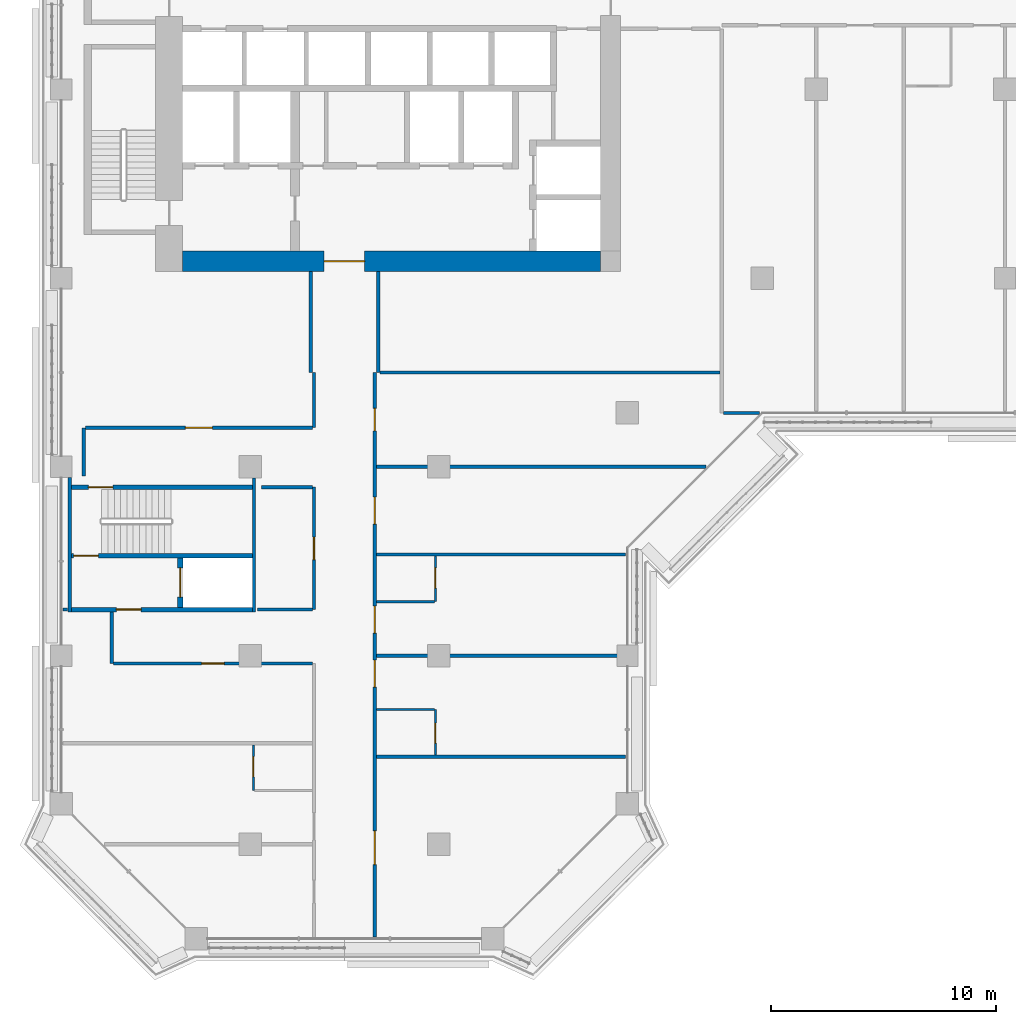
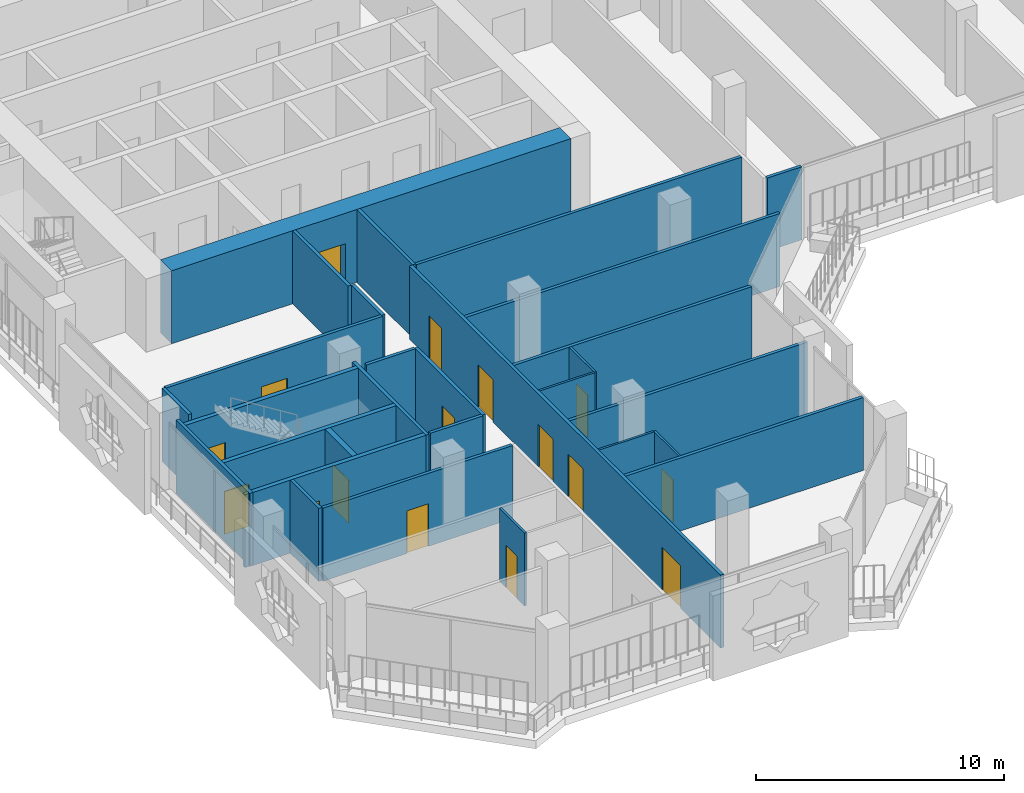
# One storey, part 10 of 21: 30 walls, 16 doors, 16 openings.
"""IFC4 building model written with IfcOpenShell, lengths in metres."""

from ifc_helpers import new_model, si_unit, direction, frame, frame_2d, origin, place, context, subcontext, project, spatial, rectangle, extrude, material, layer, layer_set, type_object, element, fill, save


model = new_model("IFC4")

# Units and contexts
model_context = context("Model", 3, precision=1e-05, world=origin(), true_north=direction((0.0, 1.0)))
body_context = subcontext(model_context, "Body", "Model", "MODEL_VIEW")
ifc_project = project(units=[si_unit("LENGTHUNIT", "METRE"), si_unit("AREAUNIT", "SQUARE_METRE"), si_unit("VOLUMEUNIT", "CUBIC_METRE"), si_unit("PLANEANGLEUNIT", "RADIAN"), si_unit("MASSUNIT", "GRAM", prefix="KILO")], contexts=[model_context])

# Site, building, storey
site_placement = place(None, origin())
site = spatial("IfcSite", under=ifc_project, at=site_placement, CompositionType="ELEMENT")
building_placement = place(site_placement, origin())
building = spatial("IfcBuilding", under=site, at=building_placement, Name="Kawkab Arch Medical Tower", CompositionType="ELEMENT")
storey_placement = place(building_placement, frame((0.0, 0.0, 192.0)))
storey = spatial("IfcBuildingStorey", under=building, at=storey_placement, Name="L44", CompositionType="ELEMENT", Elevation=192.0)

# Wall, opening, door
ifc_material_1 = material(Name="Concrete C55/67", Category="concrete")
ifc_layer_1 = layer(ifc_material_1, 0.89990234375)
ifc_layer_set_1 = layer_set([ifc_layer_1], Name="Concrete C55/67")
wall_type_1 = type_object("IfcWallType", Name="Core ring wall 900 C55/67", PredefinedType="SHEAR", material=ifc_layer_set_1)
wall_1_placement = place(storey_placement, frame((5.39990234375, -24.449951171875, 0.0), z_axis=(0.0, 0.0, 1.0), x_axis=(1.0, 0.0, 0.0)))
wall_1 = element("IfcWall", 1, at=wall_1_placement, inside=storey, type_object=wall_type_1, Name="L44 core wall", PredefinedType="SHEAR", context=body_context, shape_type="SweptSolid", body=[
    extrude(rectangle(XDim=18.60009765625, YDim=0.89990234375, at=frame_2d((9.300048828125, 0.0))), origin(), (0.0, 0.0, 1.0), 3.60009765625),
])
opening_1_placement = place(wall_1_placement, frame((6.300048828125, 0.0, 0.0)))
opening_1 = element("IfcOpeningElement", 2, at=opening_1_placement, cuts=wall_1, Name="Opening PD", PredefinedType="OPENING", context=body_context, shape_type="SweptSolid", body=[
    extrude(rectangle(XDim=1.800048828125, YDim=2.10009765625, at=frame_2d((0.89990234375, 1.050048828125))), frame((0.0, 0.4599609375, 0.0), z_axis=(0.0, -1.0, 0.0), x_axis=(1.0, 0.0, 0.0)), (0.0, 0.0, 1.0), 0.919921875),
])
ifc_material_2 = material(Name="Hollow metal fire door leaf")
door_type_1 = type_object("IfcDoorType", Name="Core entrance doors 1800", OperationType="DOUBLE_DOOR_SINGLE_SWING", PredefinedType="DOOR", material=ifc_material_2)
door_1_placement = place(opening_1_placement, origin())
door_1 = element("IfcDoor", 3, at=door_1_placement, inside=storey, type_object=door_type_1, Name="L44 South entrance doors", OperationType="DOUBLE_DOOR_SINGLE_SWING", OverallHeight=2.10009765625, OverallWidth=1.800048828125, PredefinedType="DOOR", context=body_context, shape_type="SweptSolid", body=[
    extrude(rectangle(XDim=1.800048828125, YDim=2.10009765625, at=frame_2d((0.89990234375, 1.050048828125))), frame((0.0, 0.02490234375, 0.0), z_axis=(0.0, -1.0, 0.0), x_axis=(1.0, 0.0, 0.0)), (0.0, 0.0, 1.0), 0.050048828125),
])
fill(opening_1, door_1)

ifc_material_3 = material(Name="Concrete C60/75", Category="concrete")
ifc_layer_2 = layer(ifc_material_3, 0.25)
ifc_layer_set_2 = layer_set([ifc_layer_2], Name="Concrete C60/75")
wall_type_2 = type_object("IfcWallType", Name="Core shear wall 250 C60/75", PredefinedType="SHEAR", material=ifc_layer_set_2)
wall_2_placement = place(storey_placement, frame((5.300048828125, -39.85009765625, 0.0), z_axis=(0.0, 0.0, 1.0), x_axis=(0.0, 1.0, 0.0)))
wall_2 = element("IfcWall", 4, at=wall_2_placement, inside=storey, type_object=wall_type_2, Name="L44 core shear wall", PredefinedType="SHEAR", context=body_context, shape_type="SweptSolid", body=[
    extrude(rectangle(XDim=2.2001953125, YDim=0.25, at=frame_2d((1.10009765625, 0.0))), origin(), (0.0, 0.0, 1.0), 3.60009765625),
])
opening_2_placement = place(wall_2_placement, frame((0.449951171875, 0.0, 0.0)))
opening_2 = element("IfcOpeningElement", 5, at=opening_2_placement, cuts=wall_2, Name="Opening LD2", PredefinedType="OPENING", context=body_context, shape_type="SweptSolid", body=[
    extrude(rectangle(XDim=1.300048828125, YDim=2.10009765625, at=frame_2d((0.64990234375, 1.050048828125))), frame((0.0, 0.135009765625, 0.0), z_axis=(0.0, -1.0, 0.0), x_axis=(1.0, 0.0, 0.0)), (0.0, 0.0, 1.0), 0.27001953125),
])
ifc_material_4 = material(Name="Stainless steel lift door leaf", Category="steel")
door_type_2 = type_object("IfcDoorType", Name="Lift landing door 1300", OperationType="DOUBLE_DOOR_SLIDING", PredefinedType="DOOR", material=ifc_material_4)
door_2_placement = place(opening_2_placement, origin())
door_2 = element("IfcDoor", 6, at=door_2_placement, inside=storey, type_object=door_type_2, Name="L44 Lift landing door SV2", OperationType="DOUBLE_DOOR_SLIDING", OverallHeight=2.10009765625, OverallWidth=1.300048828125, PredefinedType="DOOR", context=body_context, shape_type="SweptSolid", body=[
    extrude(rectangle(XDim=1.300048828125, YDim=2.10009765625, at=frame_2d((0.64990234375, 1.050048828125))), frame((0.0, 0.02490234375, 0.0), z_axis=(0.0, -1.0, 0.0), x_axis=(1.0, 0.0, 0.0)), (0.0, 0.0, 1.0), 0.050048828125),
])
fill(opening_2, door_2)

# Walls
ifc_material_5 = material(Name="Gypsum board partition on steel studs", Category="steel")
ifc_layer_3 = layer(ifc_material_5, 0.10009765625)
ifc_layer_set_3 = layer_set([ifc_layer_3], Name="Gypsum board partition on steel studs")
wall_type_3 = type_object("IfcWallType", Name="Partition 100", PredefinedType="PARTITIONING", material=ifc_layer_set_3)
for number, where, z_axis, x_axis, name in (
    (7, (14.02490234375, -44.39990234375, 0.0), (0.0, 0.0, 1.0), (1.0, 0.0, 0.0), "Partition 100 w002"),
    (8, (14.02490234375, -39.60009765625, 0.0), (0.0, 0.0, 1.0), (1.0, 0.0, 0.0), "Partition 100 w003"),
):
    element("IfcWall", number, at=place(storey_placement, frame(where, z_axis=z_axis, x_axis=x_axis)), inside=storey, type_object=wall_type_3, Name=name, PredefinedType="PARTITIONING", context=body_context, shape_type="SweptSolid", body=[
        extrude(rectangle(XDim=2.5751953125, YDim=0.10009765625, at=frame_2d((1.28759765625, 0.0))), origin(), (0.0, 0.0, 1.0), 3.60009765625),
    ])

# Wall, opening, door
wall_3_placement = place(storey_placement, frame((8.550048828125, -48.0, 0.0), z_axis=(0.0, 0.0, 1.0), x_axis=(0.0, 1.0, 0.0)))
wall_3 = element("IfcWall", 9, at=wall_3_placement, inside=storey, type_object=wall_type_3, Name="Partition 100 w009", PredefinedType="PARTITIONING", context=body_context, shape_type="SweptSolid", body=[
    extrude(rectangle(XDim=2.02490234375, YDim=0.10009765625, at=frame_2d((1.012451171875, 0.0))), origin(), (0.0, 0.0, 1.0), 3.60009765625),
])
opening_3_placement = place(wall_3_placement, frame((0.60009765625, 0.0, 0.0)))
opening_3 = element("IfcOpeningElement", 10, at=opening_3_placement, cuts=wall_3, Name="Opening W39-009", PredefinedType="OPENING", context=body_context, shape_type="SweptSolid", body=[
    extrude(rectangle(XDim=0.89990234375, YDim=2.10009765625, at=frame_2d((0.449951171875, 1.050048828125))), frame((0.0, 0.06005859375, 0.0), z_axis=(0.0, -1.0, 0.0), x_axis=(1.0, 0.0, 0.0)), (0.0, 0.0, 1.0), 0.1201171875),
])
ifc_material_6 = material(Name="Timber door leaf", Category="wood")
door_type_3 = type_object("IfcDoorType", Name="Single door 900x2100", OperationType="NOTDEFINED", PredefinedType="DOOR", material=ifc_material_6)
door_3_placement = place(opening_3_placement, origin())
door_3 = element("IfcDoor", 11, at=door_3_placement, inside=storey, type_object=door_type_3, Name="Door W39-009", OperationType="SINGLE_SWING_LEFT", OverallHeight=2.10009765625, OverallWidth=0.89990234375, PredefinedType="DOOR", context=body_context, shape_type="SweptSolid", body=[
    extrude(rectangle(XDim=0.89990234375, YDim=2.10009765625, at=frame_2d((0.449951171875, 1.050048828125))), frame((0.0, 0.02490234375, 0.0), z_axis=(0.0, -1.0, 0.0), x_axis=(1.0, 0.0, 0.0)), (0.0, 0.0, 1.0), 0.050048828125),
])
fill(opening_3, door_3)

wall_4_placement = place(storey_placement, frame((16.64990234375, -46.425048828125, 0.0), z_axis=(0.0, 0.0, 1.0), x_axis=(0.0, 1.0, 0.0)))
wall_4 = element("IfcWall", 12, at=wall_4_placement, inside=storey, type_object=wall_type_3, Name="Partition 100 w010", PredefinedType="PARTITIONING", context=body_context, shape_type="SweptSolid", body=[
    extrude(rectangle(XDim=2.025146484375, YDim=0.10009765625, at=frame_2d((1.0126953125, 0.0))), origin(), (0.0, 0.0, 1.0), 3.60009765625),
])
opening_4_placement = place(wall_4_placement, frame((0.52490234375, 0.0, 0.0)))
opening_4 = element("IfcOpeningElement", 13, at=opening_4_placement, cuts=wall_4, Name="Opening W39-011", PredefinedType="OPENING", context=body_context, shape_type="SweptSolid", body=[
    extrude(rectangle(XDim=0.89990234375, YDim=2.10009765625, at=frame_2d((0.449951171875, 1.050048828125))), frame((0.0, 0.06005859375, 0.0), z_axis=(0.0, -1.0, 0.0), x_axis=(1.0, 0.0, 0.0)), (0.0, 0.0, 1.0), 0.1201171875),
])
door_4_placement = place(opening_4_placement, origin())
door_4 = element("IfcDoor", 14, at=door_4_placement, inside=storey, type_object=door_type_3, Name="Door W39-011", OperationType="SINGLE_SWING_LEFT", OverallHeight=2.10009765625, OverallWidth=0.89990234375, PredefinedType="DOOR", context=body_context, shape_type="SweptSolid", body=[
    extrude(rectangle(XDim=0.89990234375, YDim=2.10009765625, at=frame_2d((0.449951171875, 1.050048828125))), frame((0.0, 0.02490234375, 0.0), z_axis=(0.0, -1.0, 0.0), x_axis=(1.0, 0.0, 0.0)), (0.0, 0.0, 1.0), 0.050048828125),
])
fill(opening_4, door_4)

wall_5_placement = place(storey_placement, frame((16.64990234375, -39.60009765625, 0.0), z_axis=(0.0, 0.0, 1.0), x_axis=(0.0, 1.0, 0.0)))
wall_5 = element("IfcWall", 15, at=wall_5_placement, inside=storey, type_object=wall_type_3, Name="Partition 100 w011", PredefinedType="PARTITIONING", context=body_context, shape_type="SweptSolid", body=[
    extrude(rectangle(XDim=2.025146484375, YDim=0.10009765625, at=frame_2d((1.0126953125, 0.0))), origin(), (0.0, 0.0, 1.0), 3.60009765625),
])
opening_5_placement = place(wall_5_placement, frame((0.60009765625, 0.0, 0.0)))
opening_5 = element("IfcOpeningElement", 16, at=opening_5_placement, cuts=wall_5, Name="Opening W39-010", PredefinedType="OPENING", context=body_context, shape_type="SweptSolid", body=[
    extrude(rectangle(XDim=0.89990234375, YDim=2.10009765625, at=frame_2d((0.449951171875, 1.050048828125))), frame((0.0, 0.06005859375, 0.0), z_axis=(0.0, -1.0, 0.0), x_axis=(1.0, 0.0, 0.0)), (0.0, 0.0, 1.0), 0.1201171875),
])
door_5_placement = place(opening_5_placement, origin())
door_5 = element("IfcDoor", 17, at=door_5_placement, inside=storey, type_object=door_type_3, Name="Door W39-010", OperationType="SINGLE_SWING_LEFT", OverallHeight=2.10009765625, OverallWidth=0.89990234375, PredefinedType="DOOR", context=body_context, shape_type="SweptSolid", body=[
    extrude(rectangle(XDim=0.89990234375, YDim=2.10009765625, at=frame_2d((0.449951171875, 1.050048828125))), frame((0.0, 0.02490234375, 0.0), z_axis=(0.0, -1.0, 0.0), x_axis=(1.0, 0.0, 0.0)), (0.0, 0.0, 1.0), 0.050048828125),
])
fill(opening_5, door_5)

# Wall
ifc_material_7 = material(Name="Gypsum board partition on steel studs, mineral wool", Category="steel")
ifc_layer_4 = layer(ifc_material_7, 0.14990234375)
ifc_layer_set_4 = layer_set([ifc_layer_4], Name="Gypsum board partition on steel studs, mineral wool")
wall_type_4 = type_object("IfcWallType", Name="Partition 150", PredefinedType="PARTITIONING", material=ifc_layer_set_4)
wall_6_placement = place(storey_placement, frame((14.02490234375, -46.5, 0.0), z_axis=(0.0, 0.0, 1.0), x_axis=(1.0, 0.0, 0.0)))
element("IfcWall", 18, at=wall_6_placement, inside=storey, type_object=wall_type_4, Name="Partition 150 w019", PredefinedType="PARTITIONING", context=body_context, shape_type="SweptSolid", body=[
    extrude(rectangle(XDim=11.09521484375, YDim=0.14990234375, at=frame_2d((5.547607421875, 0.0))), origin(), (0.0, 0.0, 1.0), 3.60009765625),
])

# Wall, opening, door
wall_7_placement = place(storey_placement, frame((2.326904296875, -42.35009765625, 0.0), z_axis=(0.0, 0.0, 1.0), x_axis=(1.0, 0.0, 0.0)))
wall_7 = element("IfcWall", 19, at=wall_7_placement, inside=storey, type_object=wall_type_4, Name="Partition 150 w021", PredefinedType="PARTITIONING", context=body_context, shape_type="SweptSolid", body=[
    extrude(rectangle(XDim=8.84814453125, YDim=0.14990234375, at=frame_2d((4.424072265625, 0.0))), origin(), (0.0, 0.0, 1.0), 3.60009765625),
])
opening_6_placement = place(wall_7_placement, frame((3.924072265625, 0.0, 0.0)))
opening_6 = element("IfcOpeningElement", 20, at=opening_6_placement, cuts=wall_7, Name="Opening W39-023", PredefinedType="OPENING", context=body_context, shape_type="SweptSolid", body=[
    extrude(rectangle(XDim=1.0, YDim=2.10009765625, at=frame_2d((0.5, 1.050048828125))), frame((0.0, 0.0849609375, 0.0), z_axis=(0.0, -1.0, 0.0), x_axis=(1.0, 0.0, 0.0)), (0.0, 0.0, 1.0), 0.169921875),
])
ifc_material_8 = material(Name="Hollow metal door leaf")
door_type_4 = type_object("IfcDoorType", Name="Single door 1000x2100 FD30S", OperationType="NOTDEFINED", PredefinedType="DOOR", material=ifc_material_8)
door_6_placement = place(opening_6_placement, origin())
door_6 = element("IfcDoor", 21, at=door_6_placement, inside=storey, type_object=door_type_4, Name="Door W39-023", OperationType="SINGLE_SWING_RIGHT", OverallHeight=2.10009765625, OverallWidth=1.0, PredefinedType="DOOR", context=body_context, shape_type="SweptSolid", body=[
    extrude(rectangle(XDim=1.0, YDim=2.10009765625, at=frame_2d((0.5, 1.050048828125))), frame((0.0, 0.02490234375, 0.0), z_axis=(0.0, -1.0, 0.0), x_axis=(1.0, 0.0, 0.0)), (0.0, 0.0, 1.0), 0.050048828125),
])
fill(opening_6, door_6)

# Walls
wall_8_placement = place(storey_placement, frame((14.02490234375, -42.0, 0.0), z_axis=(0.0, 0.0, 1.0), x_axis=(1.0, 0.0, 0.0)))
element("IfcWall", 22, at=wall_8_placement, inside=storey, type_object=wall_type_4, Name="Partition 150 w022", PredefinedType="PARTITIONING", context=body_context, shape_type="SweptSolid", body=[
    extrude(rectangle(XDim=11.09521484375, YDim=0.14990234375, at=frame_2d((5.547607421875, 0.0))), origin(), (0.0, 0.0, 1.0), 3.60009765625),
])
wall_9_placement = place(storey_placement, frame((0.080078125, -39.949951171875, 0.0), z_axis=(0.0, 0.0, 1.0), x_axis=(1.0, 0.0, 0.0)))
element("IfcWall", 23, at=wall_9_placement, inside=storey, type_object=wall_type_4, Name="Partition 150 w023", PredefinedType="PARTITIONING", context=body_context, shape_type="SweptSolid", body=[
    extrude(rectangle(XDim=0.18994140625, YDim=0.14990234375, at=frame_2d((0.094970703125, 0.0))), origin(), (0.0, 0.0, 1.0), 3.60009765625),
])
wall_10_placement = place(storey_placement, frame((8.72998046875, -39.949951171875, 0.0), z_axis=(0.0, 0.0, 1.0), x_axis=(1.0, 0.0, 0.0)))
element("IfcWall", 24, at=wall_10_placement, inside=storey, type_object=wall_type_4, Name="Partition 150 w024", PredefinedType="PARTITIONING", context=body_context, shape_type="SweptSolid", body=[
    extrude(rectangle(XDim=2.445068359375, YDim=0.14990234375, at=frame_2d((1.22265625, 0.0))), origin(), (0.0, 0.0, 1.0), 3.60009765625),
])
wall_11_placement = place(storey_placement, frame((14.02490234375, -37.5, 0.0), z_axis=(0.0, 0.0, 1.0), x_axis=(1.0, 0.0, 0.0)))
element("IfcWall", 25, at=wall_11_placement, inside=storey, type_object=wall_type_4, Name="Partition 150 w025", PredefinedType="PARTITIONING", context=body_context, shape_type="SweptSolid", body=[
    extrude(rectangle(XDim=11.09521484375, YDim=0.14990234375, at=frame_2d((5.547607421875, 0.0))), origin(), (0.0, 0.0, 1.0), 3.60009765625),
])
wall_12_placement = place(storey_placement, frame((8.89990234375, -34.5, 0.0), z_axis=(0.0, 0.0, 1.0), x_axis=(1.0, 0.0, 0.0)))
element("IfcWall", 26, at=wall_12_placement, inside=storey, type_object=wall_type_4, Name="Partition 150 w026", PredefinedType="PARTITIONING", context=body_context, shape_type="SweptSolid", body=[
    extrude(rectangle(XDim=2.275146484375, YDim=0.14990234375, at=frame_2d((1.1376953125, 0.0))), origin(), (0.0, 0.0, 1.0), 3.60009765625),
])
wall_13_placement = place(storey_placement, frame((14.02490234375, -33.60009765625, 0.0), z_axis=(0.0, 0.0, 1.0), x_axis=(1.0, 0.0, 0.0)))
element("IfcWall", 27, at=wall_13_placement, inside=storey, type_object=wall_type_4, Name="Partition 150 w027", PredefinedType="PARTITIONING", context=body_context, shape_type="SweptSolid", body=[
    extrude(rectangle(XDim=14.662109375, YDim=0.14990234375, at=frame_2d((7.3310546875, 0.0))), origin(), (0.0, 0.0, 1.0), 3.60009765625),
])

# Wall, opening, door
wall_14_placement = place(storey_placement, frame((1.076904296875, -31.85693359375, 0.0), z_axis=(0.0, 0.0, 1.0), x_axis=(1.0, 0.0, 0.0)))
wall_14 = element("IfcWall", 28, at=wall_14_placement, inside=storey, type_object=wall_type_4, Name="Partition 150 w028", PredefinedType="PARTITIONING", context=body_context, shape_type="SweptSolid", body=[
    extrude(rectangle(XDim=10.09814453125, YDim=0.14990234375, at=frame_2d((5.049072265625, 0.0))), origin(), (0.0, 0.0, 1.0), 3.60009765625),
])
opening_7_placement = place(wall_14_placement, frame((4.448974609375, 0.0, 0.0)))
opening_7 = element("IfcOpeningElement", 29, at=opening_7_placement, cuts=wall_14, Name="Opening W39-034", PredefinedType="OPENING", context=body_context, shape_type="SweptSolid", body=[
    extrude(rectangle(XDim=1.199951171875, YDim=2.10009765625, at=frame_2d((0.60009765625, 1.050048828125))), frame((0.0, 0.0849609375, 0.0), z_axis=(0.0, -1.0, 0.0), x_axis=(1.0, 0.0, 0.0)), (0.0, 0.0, 1.0), 0.169921875),
])
ifc_material_9 = material(Name="Hollow metal door leaf")
door_type_5 = type_object("IfcDoorType", Name="Single door 1200x2100 FD30S", OperationType="NOTDEFINED", PredefinedType="DOOR", material=ifc_material_9)
door_7_placement = place(opening_7_placement, origin())
door_7 = element("IfcDoor", 30, at=door_7_placement, inside=storey, type_object=door_type_5, Name="Door W39-034", OperationType="SINGLE_SWING_LEFT", OverallHeight=2.10009765625, OverallWidth=1.199951171875, PredefinedType="DOOR", context=body_context, shape_type="SweptSolid", body=[
    extrude(rectangle(XDim=1.199951171875, YDim=2.10009765625, at=frame_2d((0.60009765625, 1.050048828125))), frame((0.0, 0.02490234375, 0.0), z_axis=(0.0, -1.0, 0.0), x_axis=(1.0, 0.0, 0.0)), (0.0, 0.0, 1.0), 0.050048828125),
])
fill(opening_7, door_7)

# Walls
wall_15_placement = place(storey_placement, frame((29.47705078125, -31.199951171875, 0.0), z_axis=(0.0, 0.0, 1.0), x_axis=(1.0, 0.0, 0.0)))
element("IfcWall", 31, at=wall_15_placement, inside=storey, type_object=wall_type_4, Name="Partition 150 w029", PredefinedType="PARTITIONING", context=body_context, shape_type="SweptSolid", body=[
    extrude(rectangle(XDim=1.60986328125, YDim=0.14990234375, at=frame_2d((0.804931640625, 0.0))), origin(), (0.0, 0.0, 1.0), 3.60009765625),
])
wall_16_placement = place(storey_placement, frame((14.175048828125, -29.39990234375, 0.0), z_axis=(0.0, 0.0, 1.0), x_axis=(1.0, 0.0, 0.0)))
element("IfcWall", 32, at=wall_16_placement, inside=storey, type_object=wall_type_4, Name="Partition 150 w030", PredefinedType="PARTITIONING", context=body_context, shape_type="SweptSolid", body=[
    extrude(rectangle(XDim=15.14990234375, YDim=0.14990234375, at=frame_2d((7.574951171875, 0.0))), origin(), (0.0, 0.0, 1.0), 3.60009765625),
])
wall_17_placement = place(storey_placement, frame((1.0, -33.9970703125, 0.0), z_axis=(0.0, 0.0, 1.0), x_axis=(0.0, 1.0, 0.0)))
element("IfcWall", 33, at=wall_17_placement, inside=storey, type_object=wall_type_4, Name="Partition 150 w042", PredefinedType="PARTITIONING", context=body_context, shape_type="SweptSolid", body=[
    extrude(rectangle(XDim=2.136962890625, YDim=0.14990234375, at=frame_2d((1.068359375, 0.0))), origin(), (0.0, 0.0, 1.0), 3.60009765625),
])
wall_18_placement = place(storey_placement, frame((2.25, -42.347900390625, 0.0), z_axis=(0.0, 0.0, 1.0), x_axis=(0.0, 1.0, 0.0)))
element("IfcWall", 34, at=wall_18_placement, inside=storey, type_object=wall_type_4, Name="Partition 150 w043", PredefinedType="PARTITIONING", context=body_context, shape_type="SweptSolid", body=[
    extrude(rectangle(XDim=2.2978515625, YDim=0.14990234375, at=frame_2d((1.14892578125, 0.0))), origin(), (0.0, 0.0, 1.0), 3.60009765625),
])
wall_19_placement = place(storey_placement, frame((11.10009765625, -29.39697265625, 0.0), z_axis=(0.0, 0.0, 1.0), x_axis=(0.0, 1.0, 0.0)))
element("IfcWall", 35, at=wall_19_placement, inside=storey, type_object=wall_type_4, Name="Partition 150 w044", PredefinedType="PARTITIONING", context=body_context, shape_type="SweptSolid", body=[
    extrude(rectangle(XDim=4.4970703125, YDim=0.14990234375, at=frame_2d((2.24853515625, 0.0))), origin(), (0.0, 0.0, 1.0), 3.60009765625),
])

# Wall, opening, door
wall_20_placement = place(storey_placement, frame((11.25, -39.949951171875, 0.0), z_axis=(0.0, 0.0, 1.0), x_axis=(0.0, 1.0, 0.0)))
wall_20 = element("IfcWall", 36, at=wall_20_placement, inside=storey, type_object=wall_type_4, Name="Partition 150 w047", PredefinedType="PARTITIONING", context=body_context, shape_type="SweptSolid", body=[
    extrude(rectangle(XDim=5.449951171875, YDim=0.14990234375, at=frame_2d((2.72509765625, 0.0))), origin(), (0.0, 0.0, 1.0), 3.60009765625),
])
opening_8_placement = place(wall_20_placement, frame((2.22509765625, 0.0, 0.0)))
opening_8 = element("IfcOpeningElement", 37, at=opening_8_placement, cuts=wall_20, Name="Opening W39-022", PredefinedType="OPENING", context=body_context, shape_type="SweptSolid", body=[
    extrude(rectangle(XDim=1.0, YDim=2.10009765625, at=frame_2d((0.5, 1.050048828125))), frame((0.0, 0.0849609375, 0.0), z_axis=(0.0, -1.0, 0.0), x_axis=(1.0, 0.0, 0.0)), (0.0, 0.0, 1.0), 0.169921875),
])
door_8_placement = place(opening_8_placement, origin())
door_8 = element("IfcDoor", 38, at=door_8_placement, inside=storey, type_object=door_type_4, Name="Door W39-022", OperationType="SINGLE_SWING_RIGHT", OverallHeight=2.10009765625, OverallWidth=1.0, PredefinedType="DOOR", context=body_context, shape_type="SweptSolid", body=[
    extrude(rectangle(XDim=1.0, YDim=2.10009765625, at=frame_2d((0.5, 1.050048828125))), frame((0.0, 0.02490234375, 0.0), z_axis=(0.0, -1.0, 0.0), x_axis=(1.0, 0.0, 0.0)), (0.0, 0.0, 1.0), 0.050048828125),
])
fill(opening_8, door_8)

# Wall
wall_21_placement = place(storey_placement, frame((11.25, -31.85693359375, 0.0), z_axis=(0.0, 0.0, 1.0), x_axis=(0.0, 1.0, 0.0)))
element("IfcWall", 39, at=wall_21_placement, inside=storey, type_object=wall_type_4, Name="Partition 150 w048", PredefinedType="PARTITIONING", context=body_context, shape_type="SweptSolid", body=[
    extrude(rectangle(XDim=2.45703125, YDim=0.14990234375, at=frame_2d((1.228515625, 0.0))), origin(), (0.0, 0.0, 1.0), 3.60009765625),
])

# Wall, openings, doors
wall_22_placement = place(storey_placement, frame((13.949951171875, -54.52001953125, 0.0), z_axis=(0.0, 0.0, 1.0), x_axis=(0.0, 1.0, 0.0)))
wall_22 = element("IfcWall", 40, at=wall_22_placement, inside=storey, type_object=wall_type_4, Name="Partition 150 w049", PredefinedType="PARTITIONING", context=body_context, shape_type="SweptSolid", body=[
    extrude(rectangle(XDim=25.1201171875, YDim=0.14990234375, at=frame_2d((12.56005859375, 0.0))), origin(), (0.0, 0.0, 1.0), 3.60009765625),
])
opening_9_placement = place(wall_22_placement, frame((22.52001953125, 0.0, 0.0)))
opening_9 = element("IfcOpeningElement", 41, at=opening_9_placement, cuts=wall_22, Name="Opening W39-025", PredefinedType="OPENING", context=body_context, shape_type="SweptSolid", body=[
    extrude(rectangle(XDim=1.0, YDim=2.10009765625, at=frame_2d((0.5, 1.050048828125))), frame((0.0, 0.0849609375, 0.0), z_axis=(0.0, -1.0, 0.0), x_axis=(1.0, 0.0, 0.0)), (0.0, 0.0, 1.0), 0.169921875),
])
opening_10_placement = place(wall_22_placement, frame((18.3701171875, 0.0, 0.0)))
opening_10 = element("IfcOpeningElement", 42, at=opening_10_placement, cuts=wall_22, Name="Opening W39-036", PredefinedType="OPENING", context=body_context, shape_type="SweptSolid", body=[
    extrude(rectangle(XDim=1.199951171875, YDim=2.10009765625, at=frame_2d((0.60009765625, 1.050048828125))), frame((0.0, 0.0849609375, 0.0), z_axis=(0.0, -1.0, 0.0), x_axis=(1.0, 0.0, 0.0)), (0.0, 0.0, 1.0), 0.169921875),
])
opening_11_placement = place(wall_22_placement, frame((13.52001953125, 0.0, 0.0)))
opening_11 = element("IfcOpeningElement", 43, at=opening_11_placement, cuts=wall_22, Name="Opening W39-037", PredefinedType="OPENING", context=body_context, shape_type="SweptSolid", body=[
    extrude(rectangle(XDim=1.199951171875, YDim=2.10009765625, at=frame_2d((0.60009765625, 1.050048828125))), frame((0.0, 0.0849609375, 0.0), z_axis=(0.0, -1.0, 0.0), x_axis=(1.0, 0.0, 0.0)), (0.0, 0.0, 1.0), 0.169921875),
])
opening_12_placement = place(wall_22_placement, frame((11.1201171875, 0.0, 0.0)))
opening_12 = element("IfcOpeningElement", 44, at=opening_12_placement, cuts=wall_22, Name="Opening W39-038", PredefinedType="OPENING", context=body_context, shape_type="SweptSolid", body=[
    extrude(rectangle(XDim=1.199951171875, YDim=2.10009765625, at=frame_2d((0.60009765625, 1.050048828125))), frame((0.0, 0.0849609375, 0.0), z_axis=(0.0, -1.0, 0.0), x_axis=(1.0, 0.0, 0.0)), (0.0, 0.0, 1.0), 0.169921875),
])
opening_13_placement = place(wall_22_placement, frame((3.219970703125, 0.0, 0.0)))
opening_13 = element("IfcOpeningElement", 45, at=opening_13_placement, cuts=wall_22, Name="Opening W39-002", PredefinedType="OPENING", context=body_context, shape_type="SweptSolid", body=[
    extrude(rectangle(XDim=1.5, YDim=2.10009765625, at=frame_2d((0.75, 1.050048828125))), frame((0.0, 0.0849609375, 0.0), z_axis=(0.0, -1.0, 0.0), x_axis=(1.0, 0.0, 0.0)), (0.0, 0.0, 1.0), 0.169921875),
])
ifc_material_10 = material(Name="Hollow metal door leaf")
door_type_6 = type_object("IfcDoorType", Name="Double door 1500x2100 FD30S", OperationType="NOTDEFINED", PredefinedType="DOOR", material=ifc_material_10)
door_9_placement = place(opening_13_placement, origin())
door_9 = element("IfcDoor", 46, at=door_9_placement, inside=storey, type_object=door_type_6, Name="Door W39-002", OperationType="DOUBLE_DOOR_SINGLE_SWING", OverallHeight=2.10009765625, OverallWidth=1.5, PredefinedType="DOOR", context=body_context, shape_type="SweptSolid", body=[
    extrude(rectangle(XDim=1.5, YDim=2.10009765625, at=frame_2d((0.75, 1.050048828125))), frame((0.0, 0.02490234375, 0.0), z_axis=(0.0, -1.0, 0.0), x_axis=(1.0, 0.0, 0.0)), (0.0, 0.0, 1.0), 0.050048828125),
])
fill(opening_13, door_9)
door_10_placement = place(opening_9_placement, origin())
door_10 = element("IfcDoor", 47, at=door_10_placement, inside=storey, type_object=door_type_4, Name="Door W39-025", OperationType="SINGLE_SWING_LEFT", OverallHeight=2.10009765625, OverallWidth=1.0, PredefinedType="DOOR", context=body_context, shape_type="SweptSolid", body=[
    extrude(rectangle(XDim=1.0, YDim=2.10009765625, at=frame_2d((0.5, 1.050048828125))), frame((0.0, 0.02490234375, 0.0), z_axis=(0.0, -1.0, 0.0), x_axis=(1.0, 0.0, 0.0)), (0.0, 0.0, 1.0), 0.050048828125),
])
fill(opening_9, door_10)
door_11_placement = place(opening_10_placement, origin())
door_11 = element("IfcDoor", 48, at=door_11_placement, inside=storey, type_object=door_type_5, Name="Door W39-036", OperationType="SINGLE_SWING_LEFT", OverallHeight=2.10009765625, OverallWidth=1.199951171875, PredefinedType="DOOR", context=body_context, shape_type="SweptSolid", body=[
    extrude(rectangle(XDim=1.199951171875, YDim=2.10009765625, at=frame_2d((0.60009765625, 1.050048828125))), frame((0.0, 0.02490234375, 0.0), z_axis=(0.0, -1.0, 0.0), x_axis=(1.0, 0.0, 0.0)), (0.0, 0.0, 1.0), 0.050048828125),
])
fill(opening_10, door_11)
door_12_placement = place(opening_11_placement, origin())
door_12 = element("IfcDoor", 49, at=door_12_placement, inside=storey, type_object=door_type_5, Name="Door W39-037", OperationType="SINGLE_SWING_LEFT", OverallHeight=2.10009765625, OverallWidth=1.199951171875, PredefinedType="DOOR", context=body_context, shape_type="SweptSolid", body=[
    extrude(rectangle(XDim=1.199951171875, YDim=2.10009765625, at=frame_2d((0.60009765625, 1.050048828125))), frame((0.0, 0.02490234375, 0.0), z_axis=(0.0, -1.0, 0.0), x_axis=(1.0, 0.0, 0.0)), (0.0, 0.0, 1.0), 0.050048828125),
])
fill(opening_11, door_12)
door_13_placement = place(opening_12_placement, origin())
door_13 = element("IfcDoor", 50, at=door_13_placement, inside=storey, type_object=door_type_5, Name="Door W39-038", OperationType="SINGLE_SWING_RIGHT", OverallHeight=2.10009765625, OverallWidth=1.199951171875, PredefinedType="DOOR", context=body_context, shape_type="SweptSolid", body=[
    extrude(rectangle(XDim=1.199951171875, YDim=2.10009765625, at=frame_2d((0.60009765625, 1.050048828125))), frame((0.0, 0.02490234375, 0.0), z_axis=(0.0, -1.0, 0.0), x_axis=(1.0, 0.0, 0.0)), (0.0, 0.0, 1.0), 0.050048828125),
])
fill(opening_12, door_13)

# Walls
wall_23_placement = place(storey_placement, frame((14.10009765625, -29.39990234375, 0.0), z_axis=(0.0, 0.0, 1.0), x_axis=(0.0, 1.0, 0.0)))
element("IfcWall", 51, at=wall_23_placement, inside=storey, type_object=wall_type_4, Name="Partition 150 w050", PredefinedType="PARTITIONING", context=body_context, shape_type="SweptSolid", body=[
    extrude(rectangle(XDim=4.5, YDim=0.14990234375, at=frame_2d((2.25, 0.0))), origin(), (0.0, 0.0, 1.0), 3.60009765625),
])
ifc_material_11 = material(Name="Concrete C50/60", Category="concrete")
ifc_layer_5 = layer(ifc_material_11, 0.14990234375)
ifc_layer_set_5 = layer_set([ifc_layer_5], Name="Concrete C50/60")
wall_type_5 = type_object("IfcWallType", Name="Stair enclosure wall 150 C50/60", PredefinedType="SHEAR", material=ifc_layer_set_5)
wall_24_placement = place(storey_placement, frame((0.375, -40.050048828125, 0.0), z_axis=(0.0, 0.0, 1.0), x_axis=(0.0, 1.0, 0.0)))
element("IfcWall", 52, at=wall_24_placement, inside=storey, type_object=wall_type_5, Name="L44 stair enclosure wall", PredefinedType="SHEAR", context=body_context, shape_type="SweptSolid", body=[
    extrude(rectangle(XDim=5.97509765625, YDim=0.14990234375, at=frame_2d((2.987548828125, 0.0))), origin(), (0.0, 0.0, 1.0), 3.60009765625),
])
wall_25_placement = place(storey_placement, frame((8.574951171875, -40.050048828125, 0.0), z_axis=(0.0, 0.0, 1.0), x_axis=(0.0, 1.0, 0.0)))
element("IfcWall", 53, at=wall_25_placement, inside=storey, type_object=wall_type_5, Name="L44 stair enclosure wall", PredefinedType="SHEAR", context=body_context, shape_type="SweptSolid", body=[
    extrude(rectangle(XDim=5.949951171875, YDim=0.14990234375, at=frame_2d((2.97509765625, 0.0))), origin(), (0.0, 0.0, 1.0), 3.60009765625),
])

# Wall, opening, door
ifc_material_12 = material(Name="Concrete C50/60", Category="concrete")
ifc_layer_6 = layer(ifc_material_12, 0.199951171875)
ifc_layer_set_6 = layer_set([ifc_layer_6], Name="Concrete C50/60")
wall_type_6 = type_object("IfcWallType", Name="Stair enclosure wall 200 C50/60", PredefinedType="SHEAR", material=ifc_layer_set_6)
wall_26_placement = place(storey_placement, frame((0.449951171875, -34.5, 0.0), z_axis=(0.0, 0.0, 1.0), x_axis=(1.0, 0.0, 0.0)))
wall_26 = element("IfcWall", 54, at=wall_26_placement, inside=storey, type_object=wall_type_6, Name="L44 stair enclosure wall", PredefinedType="SHEAR", context=body_context, shape_type="SweptSolid", body=[
    extrude(rectangle(XDim=8.050048828125, YDim=0.199951171875, at=frame_2d((4.02490234375, 0.0))), origin(), (0.0, 0.0, 1.0), 3.60009765625),
])
opening_14_placement = place(wall_26_placement, frame((0.75, 0.0, 0.0)))
opening_14 = element("IfcOpeningElement", 55, at=opening_14_placement, cuts=wall_26, Name="Opening SD", PredefinedType="OPENING", context=body_context, shape_type="SweptSolid", body=[
    extrude(rectangle(XDim=1.10009765625, YDim=2.10009765625, at=frame_2d((0.550048828125, 1.050048828125))), frame((0.0, 0.10986328125, 0.0), z_axis=(0.0, -1.0, 0.0), x_axis=(1.0, 0.0, 0.0)), (0.0, 0.0, 1.0), 0.219970703125),
])
ifc_material_13 = material(Name="Hollow metal fire door leaf")
door_type_7 = type_object("IfcDoorType", Name="Exit stair door 1100", OperationType="SINGLE_SWING_LEFT", PredefinedType="DOOR", material=ifc_material_13)
door_14_placement = place(opening_14_placement, origin())
door_14 = element("IfcDoor", 56, at=door_14_placement, inside=storey, type_object=door_type_7, Name="L44 Exit stair ST6 door", OperationType="SINGLE_SWING_LEFT", OverallHeight=2.10009765625, OverallWidth=1.10009765625, PredefinedType="DOOR", context=body_context, shape_type="SweptSolid", body=[
    extrude(rectangle(XDim=1.10009765625, YDim=2.10009765625, at=frame_2d((0.550048828125, 1.050048828125))), frame((0.0, 0.02490234375, 0.0), z_axis=(0.0, -1.0, 0.0), x_axis=(1.0, 0.0, 0.0)), (0.0, 0.0, 1.0), 0.050048828125),
])
fill(opening_14, door_14)

wall_27_placement = place(storey_placement, frame((0.449951171875, -37.550048828125, 0.0), z_axis=(0.0, 0.0, 1.0), x_axis=(1.0, 0.0, 0.0)))
wall_27 = element("IfcWall", 57, at=wall_27_placement, inside=storey, type_object=wall_type_6, Name="L44 stair enclosure wall", PredefinedType="SHEAR", context=body_context, shape_type="SweptSolid", body=[
    extrude(rectangle(XDim=8.050048828125, YDim=0.199951171875, at=frame_2d((4.02490234375, 0.0))), origin(), (0.0, 0.0, 1.0), 3.60009765625),
])
opening_15_placement = place(wall_27_placement, frame((0.10009765625, 0.0, 0.0)))
opening_15 = element("IfcOpeningElement", 58, at=opening_15_placement, cuts=wall_27, Name="Opening SD", PredefinedType="OPENING", context=body_context, shape_type="SweptSolid", body=[
    extrude(rectangle(XDim=1.10009765625, YDim=2.10009765625, at=frame_2d((0.550048828125, 1.050048828125))), frame((0.0, 0.10986328125, 0.0), z_axis=(0.0, -1.0, 0.0), x_axis=(1.0, 0.0, 0.0)), (0.0, 0.0, 1.0), 0.219970703125),
])
door_15_placement = place(opening_15_placement, frame((1.10009765625, 0.0, 0.0), z_axis=(0.0, 0.0, 1.0), x_axis=(-1.0, 0.0, 0.0)))
door_15 = element("IfcDoor", 59, at=door_15_placement, inside=storey, type_object=door_type_7, Name="L44 Exit stair ST6 lobby door", OperationType="SINGLE_SWING_LEFT", OverallHeight=2.10009765625, OverallWidth=1.10009765625, PredefinedType="DOOR", context=body_context, shape_type="SweptSolid", body=[
    extrude(rectangle(XDim=1.10009765625, YDim=2.10009765625, at=frame_2d((0.550048828125, 1.050048828125))), frame((0.0, 0.02490234375, 0.0), z_axis=(0.0, -1.0, 0.0), x_axis=(1.0, 0.0, 0.0)), (0.0, 0.0, 1.0), 0.050048828125),
])
fill(opening_15, door_15)

wall_28_placement = place(storey_placement, frame((0.449951171875, -39.949951171875, 0.0), z_axis=(0.0, 0.0, 1.0), x_axis=(1.0, 0.0, 0.0)))
wall_28 = element("IfcWall", 60, at=wall_28_placement, inside=storey, type_object=wall_type_6, Name="L44 stair enclosure wall", PredefinedType="SHEAR", context=body_context, shape_type="SweptSolid", body=[
    extrude(rectangle(XDim=8.050048828125, YDim=0.199951171875, at=frame_2d((4.02490234375, 0.0))), origin(), (0.0, 0.0, 1.0), 3.60009765625),
])
opening_16_placement = place(wall_28_placement, frame((2.0, 0.0, 0.0)))
opening_16 = element("IfcOpeningElement", 61, at=opening_16_placement, cuts=wall_28, Name="Opening FD", PredefinedType="OPENING", context=body_context, shape_type="SweptSolid", body=[
    extrude(rectangle(XDim=1.10009765625, YDim=2.10009765625, at=frame_2d((0.550048828125, 1.050048828125))), frame((0.0, 0.10986328125, 0.0), z_axis=(0.0, -1.0, 0.0), x_axis=(1.0, 0.0, 0.0)), (0.0, 0.0, 1.0), 0.219970703125),
])
ifc_material_14 = material(Name="Hollow metal fire door leaf")
door_type_8 = type_object("IfcDoorType", Name="Firefighting lobby door 1100", OperationType="SINGLE_SWING_LEFT", PredefinedType="DOOR", material=ifc_material_14)
door_16_placement = place(opening_16_placement, origin())
door_16 = element("IfcDoor", 62, at=door_16_placement, inside=storey, type_object=door_type_8, Name="L44 Service lift lobby door SV2", OperationType="SINGLE_SWING_LEFT", OverallHeight=2.10009765625, OverallWidth=1.10009765625, PredefinedType="DOOR", context=body_context, shape_type="SweptSolid", body=[
    extrude(rectangle(XDim=1.10009765625, YDim=2.10009765625, at=frame_2d((0.550048828125, 1.050048828125))), frame((0.0, 0.02490234375, 0.0), z_axis=(0.0, -1.0, 0.0), x_axis=(1.0, 0.0, 0.0)), (0.0, 0.0, 1.0), 0.050048828125),
])
fill(opening_16, door_16)

save(model, "model.ifc")
